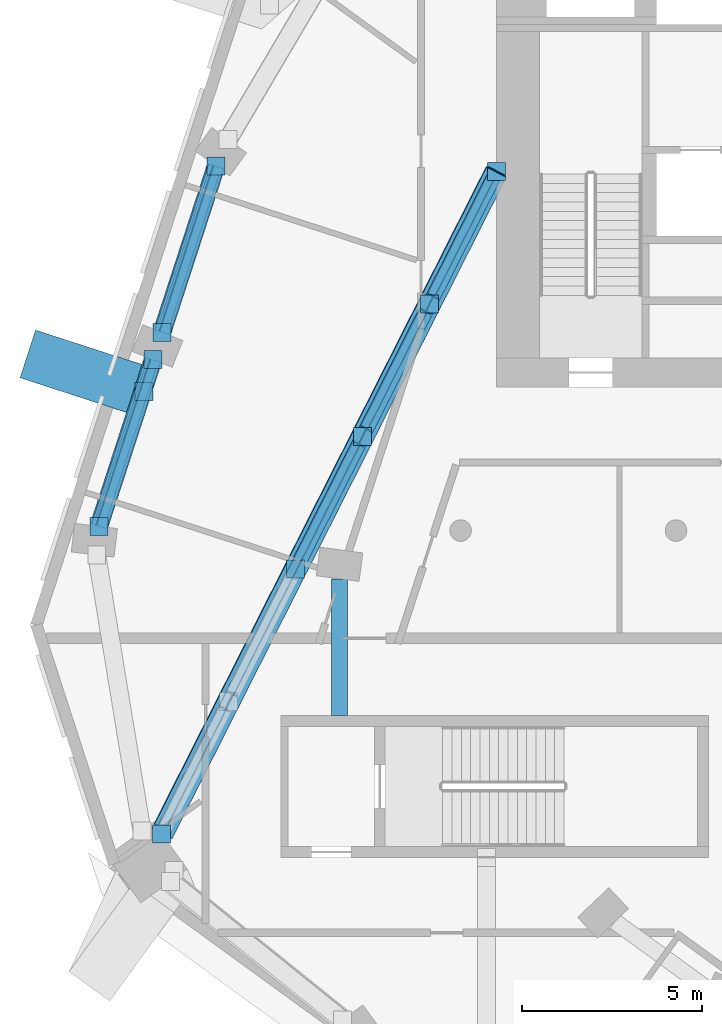
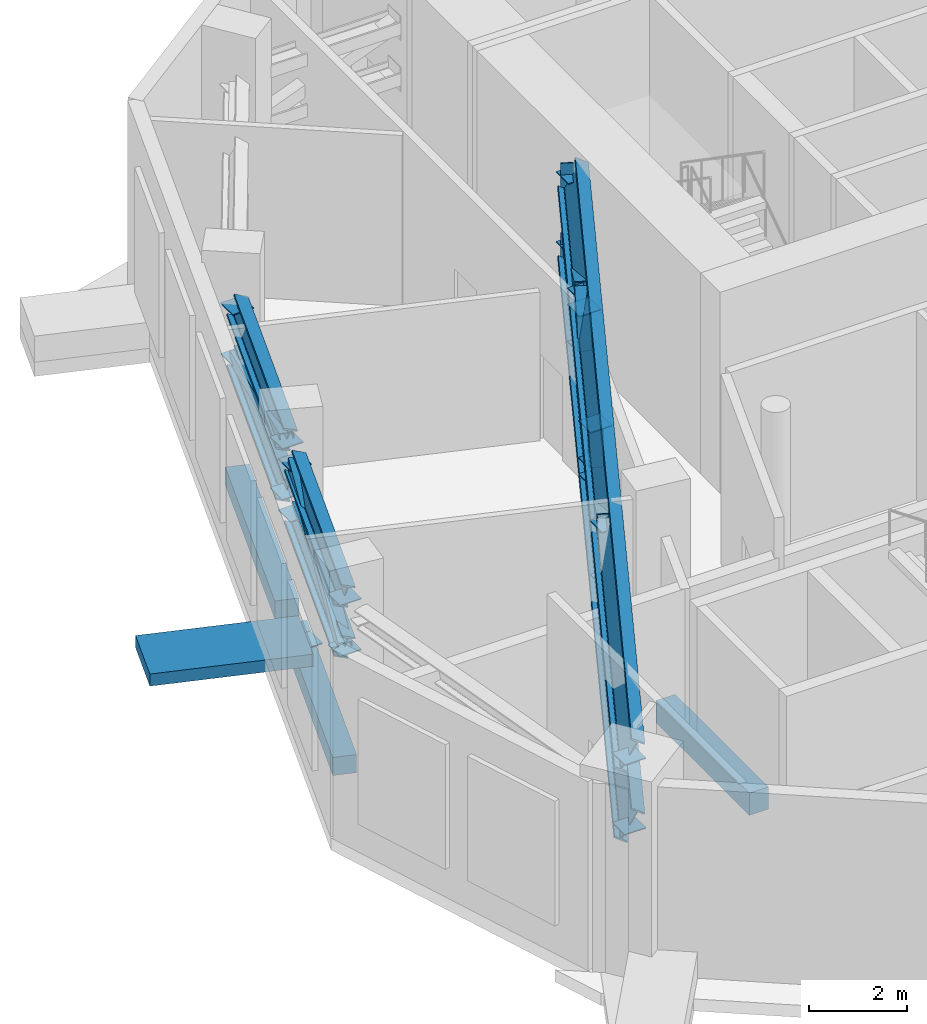
# One storey, part 3 of 16: 22 discrete accessories, 14 members, 3 beams.
"""IFC4 building model written with IfcOpenShell, lengths in metres."""

from ifc_helpers import new_model, si_unit, direction, frame, origin, origin_2d, place, context, subcontext, project, spatial, rectangle, hollow_rectangle, i_section, extrude, material, layer, layer_set, material_profile, profile_set, type_object, element, aggregate, save


model = new_model("IFC4")

# Units and contexts
model_context = context("Model", 3, precision=1e-05, world=origin(), true_north=direction((0.0, 1.0)))
body_context = subcontext(model_context, "Body", "Model", "MODEL_VIEW")
ifc_project = project(units=[si_unit("LENGTHUNIT", "METRE"), si_unit("AREAUNIT", "SQUARE_METRE"), si_unit("VOLUMEUNIT", "CUBIC_METRE"), si_unit("PLANEANGLEUNIT", "RADIAN"), si_unit("MASSUNIT", "GRAM", prefix="KILO")], contexts=[model_context])

# Site, building, storey
site_placement = place(None, origin())
site = spatial("IfcSite", under=ifc_project, at=site_placement, CompositionType="ELEMENT")
building_placement = place(site_placement, origin())
building = spatial("IfcBuilding", under=site, at=building_placement, Name="White Candle Pilgrim Tower", CompositionType="ELEMENT")
storey_placement = place(building_placement, frame((0.0, 0.0, 243.300048828125)))
storey = spatial("IfcBuildingStorey", under=building, at=storey_placement, Name="L57", CompositionType="ELEMENT", Elevation=243.300048828125)

# Member
ifc_material_1 = material(Name="Steel S355", Category="steel")
ifc_material_profile_1 = material_profile(ifc_material_1, i_section(OverallWidth=0.305908203125, OverallDepth=0.52392578125, WebThickness=0.02099609375, FlangeThickness=0.0400390625, FilletRadius=0.027099609375, at=origin_2d()), Name="HEM 500")
ifc_profile_set_1 = profile_set([ifc_material_profile_1], Name="Steel S355")
member_type_1 = type_object("IfcMemberType", Name="Belt truss chord HEM 500 S355", PredefinedType="CHORD", material=ifc_profile_set_1)
member_1_placement = place(storey_placement, frame((51.18994140625, 77.150146484375, 2.411865234375), z_axis=(-0.30935824251, -0.950945570362, 0.0), x_axis=(0.904296895815, -0.294182661044, -0.30936012374)))
member_1 = element("IfcMember", 1, at=member_1_placement, inside=storey, type_object=member_type_1, Name="L57 belt truss bottom chord 13", PredefinedType="CHORD", context=body_context, shape_type="SweptSolid", body=[
    extrude(i_section(OverallWidth=0.305908203125, OverallDepth=0.52392578125, WebThickness=0.02099609375, FlangeThickness=0.0400390625, FilletRadius=0.027099609375, at=origin_2d()), origin(), (0.0, 0.0, 1.0), 4.86767578125),
])

member_2_placement = place(storey_placement, frame((51.18994140625, 77.150146484375, 3.677978515625), z_axis=(-0.30935824251, -0.950945570362, 0.0), x_axis=(0.904296895815, -0.294182661044, -0.30936012374)))
member_2 = element("IfcMember", 2, at=member_2_placement, inside=storey, type_object=member_type_1, Name="L57 belt truss top chord 13", PredefinedType="CHORD", context=body_context, shape_type="SweptSolid", body=[
    extrude(i_section(OverallWidth=0.305908203125, OverallDepth=0.52392578125, WebThickness=0.02099609375, FlangeThickness=0.0400390625, FilletRadius=0.027099609375, at=origin_2d()), origin(), (0.0, 0.0, 1.0), 4.86767578125),
])

member_3_placement = place(storey_placement, frame((49.43603515625, 71.7587890625, 2.411865234375), z_axis=(-0.309376736615, -0.950939553726, 0.0), x_axis=(0.904291255676, -0.294200274386, -0.309359860775)))
member_3 = element("IfcMember", 3, at=member_3_placement, inside=storey, type_object=member_type_1, Name="L57 belt truss bottom chord 14", PredefinedType="CHORD", context=body_context, shape_type="SweptSolid", body=[
    extrude(i_section(OverallWidth=0.305908203125, OverallDepth=0.52392578125, WebThickness=0.02099609375, FlangeThickness=0.0400390625, FilletRadius=0.027099609375, at=origin_2d()), origin(), (0.0, 0.0, 1.0), 4.880859375),
])

member_4_placement = place(storey_placement, frame((49.43603515625, 71.7587890625, 3.677978515625), z_axis=(-0.309376736615, -0.950939553726, 0.0), x_axis=(0.904291255676, -0.294200274386, -0.309359860775)))
member_4 = element("IfcMember", 4, at=member_4_placement, inside=storey, type_object=member_type_1, Name="L57 belt truss top chord 14", PredefinedType="CHORD", context=body_context, shape_type="SweptSolid", body=[
    extrude(i_section(OverallWidth=0.305908203125, OverallDepth=0.52392578125, WebThickness=0.02099609375, FlangeThickness=0.0400390625, FilletRadius=0.027099609375, at=origin_2d()), origin(), (0.0, 0.0, 1.0), 4.880859375),
])

# Members
ifc_material_profile_2 = material_profile(ifc_material_1, hollow_rectangle(XDim=0.300048828125, YDim=0.300048828125, WallThickness=0.01611328125, at=origin_2d()), Name="SHS 300x300x16")
ifc_profile_set_2 = profile_set([ifc_material_profile_2], Name="Steel S355")
member_type_2 = type_object("IfcMemberType", Name="Belt truss diagonal SHS 300x300x16 S355", PredefinedType="BRACE", material=ifc_profile_set_2)
member_5_placement = place(storey_placement, frame((51.18994140625, 77.150146484375, 2.411865234375), z_axis=(-0.299396162607, -0.920322834472, 0.251729652931), x_axis=(0.950945570362, -0.30935824251, 0.0)))
element("IfcMember", 5, at=member_5_placement, inside=storey, type_object=member_type_2, Name="L57 belt truss diagonal 13", PredefinedType="BRACE", context=body_context, shape_type="SweptSolid", body=[
    extrude(hollow_rectangle(XDim=0.300048828125, YDim=0.300048828125, WallThickness=0.01611328125, at=origin_2d()), origin(), (0.0, 0.0, 1.0), 5.029541015625),
])
member_6_placement = place(storey_placement, frame((49.43603515625, 71.7587890625, 3.677978515625), z_axis=(-0.299465023932, -0.920473657231, -0.251095491368), x_axis=(0.950939553726, -0.309376736615, 0.0)))
element("IfcMember", 6, at=member_6_placement, inside=storey, type_object=member_type_2, Name="L57 belt truss diagonal 14", PredefinedType="BRACE", context=body_context, shape_type="SweptSolid", body=[
    extrude(hollow_rectangle(XDim=0.300048828125, YDim=0.300048828125, WallThickness=0.01611328125, at=origin_2d()), origin(), (0.0, 0.0, 1.0), 5.042236328125),
])

# Member
ifc_material_profile_3 = material_profile(ifc_material_1, i_section(OverallWidth=0.302978515625, OverallDepth=0.81396484375, WebThickness=0.02099609375, FlangeThickness=0.0400390625, FilletRadius=0.030029296875, at=origin_2d()), Name="HEM 800")
ifc_profile_set_3 = profile_set([ifc_material_profile_3], Name="Steel S355")
member_type_3 = type_object("IfcMemberType", Name="L44 outrigger 1 chord HEM 800 S355", PredefinedType="CHORD", material=ifc_profile_set_3)
member_7_placement = place(storey_placement, frame((59.0, 77.0, 2.556884765625), z_axis=(-0.451097653793, -0.892474597253, 0.0), x_axis=(0.796508529953, -0.402591995553, -0.451102922655)))
member_7 = element("IfcMember", 7, at=member_7_placement, inside=storey, type_object=member_type_3, Name="L57 outrigger 1 bottom chord", PredefinedType="CHORD", context=body_context, shape_type="SweptSolid", body=[
    extrude(i_section(OverallWidth=0.302978515625, OverallDepth=0.81396484375, WebThickness=0.02099609375, FlangeThickness=0.0400390625, FilletRadius=0.030029296875, at=origin_2d()), origin(), (0.0, 0.0, 1.0), 20.670166015625),
])

member_8_placement = place(storey_placement, frame((59.0, 77.0, 4.29296875), z_axis=(-0.451097653793, -0.892474597253, 0.0), x_axis=(0.796508529953, -0.402591995553, -0.451102922655)))
member_8 = element("IfcMember", 8, at=member_8_placement, inside=storey, type_object=member_type_3, Name="L57 outrigger 1 top chord", PredefinedType="CHORD", context=body_context, shape_type="SweptSolid", body=[
    extrude(i_section(OverallWidth=0.302978515625, OverallDepth=0.81396484375, WebThickness=0.02099609375, FlangeThickness=0.0400390625, FilletRadius=0.030029296875, at=origin_2d()), origin(), (0.0, 0.0, 1.0), 20.670166015625),
])

ifc_material_profile_4 = material_profile(ifc_material_1, hollow_rectangle(XDim=0.39990234375, YDim=0.39990234375, WallThickness=0.02001953125, at=origin_2d()), Name="SHS 400x400x20")
ifc_profile_set_4 = profile_set([ifc_material_profile_4], Name="Steel S355")
member_type_4 = type_object("IfcMemberType", Name="L44 outrigger 1 diagonal SHS 400x400x20 S355", PredefinedType="BRACE", material=ifc_profile_set_4)
member_9_placement = place(storey_placement, frame((59.0, 77.0, 2.556884765625), z_axis=(-0.41594195256, -0.822845239834, 0.387192462974), x_axis=(0.892457927799, -0.451130631978, 0.0)))
member_9 = element("IfcMember", 9, at=member_9_placement, inside=storey, type_object=member_type_4, Name="L57 outrigger 1 diagonal 1", PredefinedType="BRACE", context=body_context, shape_type="SweptSolid", body=[
    extrude(hollow_rectangle(XDim=0.39990234375, YDim=0.39990234375, WallThickness=0.02001953125, at=origin_2d()), origin(), (0.0, 0.0, 1.0), 4.48388671875),
])

member_10_placement = place(storey_placement, frame((57.135009765625, 73.310546875, 4.29296875), z_axis=(-0.415896921473, -0.822863875007, -0.387201231814), x_axis=(0.892481704128, -0.451083592915, 0.0)))
member_10 = element("IfcMember", 10, at=member_10_placement, inside=storey, type_object=member_type_4, Name="L57 outrigger 1 diagonal 2", PredefinedType="BRACE", context=body_context, shape_type="SweptSolid", body=[
    extrude(hollow_rectangle(XDim=0.39990234375, YDim=0.39990234375, WallThickness=0.02001953125, at=origin_2d()), origin(), (0.0, 0.0, 1.0), 4.483642578125),
])

member_11_placement = place(storey_placement, frame((55.270263671875, 69.62109375, 2.556884765625), z_axis=(-0.415896921473, -0.822863875007, 0.387201231814), x_axis=(0.892481704128, -0.451083592915, 0.0)))
member_11 = element("IfcMember", 11, at=member_11_placement, inside=storey, type_object=member_type_4, Name="L57 outrigger 1 diagonal 3", PredefinedType="BRACE", context=body_context, shape_type="SweptSolid", body=[
    extrude(hollow_rectangle(XDim=0.39990234375, YDim=0.39990234375, WallThickness=0.02001953125, at=origin_2d()), origin(), (0.0, 0.0, 1.0), 4.483642578125),
])

ifc_material_profile_5 = material_profile(ifc_material_1, i_section(OverallWidth=0.300048828125, OverallDepth=0.5, WebThickness=0.014404296875, FlangeThickness=0.028076171875, FilletRadius=0.027099609375, at=origin_2d()), Name="HEB 500")
ifc_profile_set_5 = profile_set([ifc_material_profile_5], Name="Steel S355")
member_type_5 = type_object("IfcMemberType", Name="L44 outrigger 1 post HEB 500 S355", PredefinedType="POST", material=ifc_profile_set_5)
member_12_placement = place(storey_placement, frame((57.135009765625, 73.310546875, 2.9638671875), z_axis=(0.0, 0.0, 1.0), x_axis=(0.892471934109, -0.451102922655, 0.0)))
member_12 = element("IfcMember", 12, at=member_12_placement, inside=storey, type_object=member_type_5, Name="L57 outrigger 1 post 1", PredefinedType="POST", context=body_context, shape_type="SweptSolid", body=[
    extrude(i_section(OverallWidth=0.300048828125, OverallDepth=0.5, WebThickness=0.014404296875, FlangeThickness=0.028076171875, FilletRadius=0.027099609375, at=origin_2d()), origin(), (0.0, 0.0, 1.0), 0.922119140625),
])

member_13_placement = place(storey_placement, frame((55.270263671875, 69.62109375, 2.9638671875), z_axis=(0.0, 0.0, 1.0), x_axis=(0.892471934109, -0.451102922655, 0.0)))
member_13 = element("IfcMember", 13, at=member_13_placement, inside=storey, type_object=member_type_5, Name="L57 outrigger 1 post 2", PredefinedType="POST", context=body_context, shape_type="SweptSolid", body=[
    extrude(i_section(OverallWidth=0.300048828125, OverallDepth=0.5, WebThickness=0.014404296875, FlangeThickness=0.028076171875, FilletRadius=0.027099609375, at=origin_2d()), origin(), (0.0, 0.0, 1.0), 0.922119140625),
])

ifc_material_2 = material(Name="Concrete C70/85, white", Category="concrete")
ifc_layer_1 = layer(ifc_material_2, 0.300048828125)
ifc_layer_set_1 = layer_set([ifc_layer_1], Name="Node tie strut 3400x1400x300 C70/85")
member_type_6 = type_object("IfcMemberType", Name="Node tie strut 3400x1400x300 C70/85", PredefinedType="STRUT", material=ifc_layer_set_1)
member_14_placement = place(storey_placement, frame((47.562744140625, 71.394287109375, -0.30029296875), z_axis=(0.0, 0.0, 1.0), x_axis=(-0.309016994375, -0.951056516295, 0.0)))
member_14 = element("IfcMember", 14, at=member_14_placement, inside=storey, type_object=member_type_6, Name="Node tie strut NC201", PredefinedType="STRUT", context=body_context, shape_type="SweptSolid", body=[
    extrude(rectangle(XDim=1.39990234375, YDim=3.39990234375, at=origin_2d()), origin(), (0.0, 0.0, 1.0), 0.300048828125),
])

# Beams
ifc_material_3 = material(Name="Concrete C50/60", Category="concrete")
ifc_material_profile_6 = material_profile(ifc_material_3, rectangle(XDim=0.449951171875, YDim=0.550048828125, at=origin_2d()), Name="RC-BM 450x550")
ifc_profile_set_6 = profile_set([ifc_material_profile_6], Name="Concrete C50/60")
beam_type_1 = type_object("IfcBeamType", Name="Ring beam RC-BM 450x550 C50/60", PredefinedType="BEAM", material=ifc_profile_set_6)
beam_1_placement = place(storey_placement, frame((54.6298828125, 65.656494140625, -0.574951171875), z_axis=(0.0, -1.0, 0.0), x_axis=(1.0, 0.0, 0.0)))
element("IfcBeam", 15, at=beam_1_placement, inside=storey, type_object=beam_type_1, Name="L57 ring beam R07", PredefinedType="BEAM", context=body_context, shape_type="SweptSolid", body=[
    extrude(rectangle(XDim=0.449951171875, YDim=0.550048828125, at=origin_2d()), origin(), (0.0, 0.0, 1.0), 3.806396484375),
])
ifc_material_profile_7 = material_profile(ifc_material_3, rectangle(XDim=0.5, YDim=0.449951171875, at=origin_2d()), Name="RC-BM 500x450")
ifc_profile_set_7 = profile_set([ifc_material_profile_7], Name="Concrete C50/60")
beam_type_2 = type_object("IfcBeamType", Name="Spandrel beam RC-BM 500x450 C50/60", PredefinedType="BEAM", material=ifc_profile_set_7)
beam_2_placement = place(storey_placement, frame((51.18994140625, 77.150146484375, -0.525146484375), z_axis=(-0.30935824251, -0.950945570362, 0.0), x_axis=(0.950945570362, -0.30935824251, 0.0)))
element("IfcBeam", 16, at=beam_2_placement, inside=storey, type_object=beam_type_2, Name="L57 spandrel beam T13", PredefinedType="BEAM", context=body_context, shape_type="SweptSolid", body=[
    extrude(rectangle(XDim=0.5, YDim=0.449951171875, at=origin_2d()), origin(), (0.0, 0.0, 1.0), 4.86767578125),
])
beam_3_placement = place(storey_placement, frame((49.43603515625, 71.7587890625, -0.525146484375), z_axis=(-0.309376736615, -0.950939553726, 0.0), x_axis=(0.950939553726, -0.309376736615, 0.0)))
element("IfcBeam", 17, at=beam_3_placement, inside=storey, type_object=beam_type_2, Name="L57 spandrel beam T14", PredefinedType="BEAM", context=body_context, shape_type="SweptSolid", body=[
    extrude(rectangle(XDim=0.5, YDim=0.449951171875, at=origin_2d()), origin(), (0.0, 0.0, 1.0), 4.880859375),
])

# Discrete accessory
ifc_layer_2 = layer(ifc_material_1, 0.030029296875)
ifc_layer_set_2 = layer_set([ifc_layer_2], Name="Cast-in plate 500x600x30 S355")
discrete_accessory_type_1 = type_object("IfcDiscreteAccessoryType", Name="Cast-in plate 500x600x30 S355", PredefinedType="ANCHORPLATE", material=ifc_layer_set_2)
discrete_accessory_1_placement = place(storey_placement, frame((59.0, 77.0, 2.2568359375), z_axis=(0.0, 0.0, 1.0), x_axis=(-0.451095627087, -0.892475621641, 0.0)))
discrete_accessory_1 = element("IfcDiscreteAccessory", 18, at=discrete_accessory_1_placement, type_object=discrete_accessory_type_1, Name="Cast-in plate 0049", PredefinedType="ANCHORPLATE", context=body_context, shape_type="SweptSolid", body=[
    extrude(rectangle(XDim=0.030029296875, YDim=0.5, at=origin_2d()), origin(), (0.0, 0.0, 1.0), 0.60009765625),
])

discrete_accessory_2_placement = place(storey_placement, frame((59.0, 77.0, 3.992919921875), z_axis=(0.0, 0.0, 1.0), x_axis=(-0.451095627087, -0.892475621641, 0.0)))
discrete_accessory_2 = element("IfcDiscreteAccessory", 19, at=discrete_accessory_2_placement, type_object=discrete_accessory_type_1, Name="Cast-in plate 0050", PredefinedType="ANCHORPLATE", context=body_context, shape_type="SweptSolid", body=[
    extrude(rectangle(XDim=0.030029296875, YDim=0.5, at=origin_2d()), origin(), (0.0, 0.0, 1.0), 0.60009765625),
])

ifc_layer_3 = layer(ifc_material_1, 0.02490234375)
ifc_layer_set_3 = layer_set([ifc_layer_3], Name="Gusset plate 500x500x25 S355")
discrete_accessory_type_2 = type_object("IfcDiscreteAccessoryType", Name="Gusset plate 500x500x25 S355", PredefinedType="BRACKET", material=ifc_layer_set_3)
discrete_accessory_3_placement = place(storey_placement, frame((49.179443359375, 70.868896484375, -0.16259765625), z_axis=(0.0, 0.0, 1.0), x_axis=(1.0, 0.0, 0.0)))
discrete_accessory_3 = element("IfcDiscreteAccessory", 20, at=discrete_accessory_3_placement, type_object=discrete_accessory_type_2, Name="Gusset plate 0582", PredefinedType="BRACKET", context=body_context, shape_type="SweptSolid", body=[
    extrude(rectangle(XDim=0.5, YDim=0.5, at=origin_2d()), origin(), (0.0, 0.0, 1.0), 0.02490234375),
])

aggregate(member_14, [discrete_accessory_3])

discrete_accessory_4_placement = place(storey_placement, frame((51.18994140625, 77.150146484375, 2.3994140625), z_axis=(0.0, 0.0, 1.0), x_axis=(1.0, 0.0, 0.0)))
discrete_accessory_4 = element("IfcDiscreteAccessory", 21, at=discrete_accessory_4_placement, type_object=discrete_accessory_type_2, Name="Gusset plate 0886", PredefinedType="BRACKET", context=body_context, shape_type="SweptSolid", body=[
    extrude(rectangle(XDim=0.5, YDim=0.5, at=origin_2d()), origin(), (0.0, 0.0, 1.0), 0.02490234375),
])

discrete_accessory_5_placement = place(storey_placement, frame((49.68408203125, 72.521240234375, 2.3994140625), z_axis=(0.0, 0.0, 1.0), x_axis=(1.0, 0.0, 0.0)))
discrete_accessory_5 = element("IfcDiscreteAccessory", 22, at=discrete_accessory_5_placement, type_object=discrete_accessory_type_2, Name="Gusset plate 0887", PredefinedType="BRACKET", context=body_context, shape_type="SweptSolid", body=[
    extrude(rectangle(XDim=0.5, YDim=0.5, at=origin_2d()), origin(), (0.0, 0.0, 1.0), 0.02490234375),
])

aggregate(member_1, [discrete_accessory_4, discrete_accessory_5])

discrete_accessory_6_placement = place(storey_placement, frame((51.18994140625, 77.150146484375, 3.66552734375), z_axis=(0.0, 0.0, 1.0), x_axis=(1.0, 0.0, 0.0)))
discrete_accessory_6 = element("IfcDiscreteAccessory", 23, at=discrete_accessory_6_placement, type_object=discrete_accessory_type_2, Name="Gusset plate 0888", PredefinedType="BRACKET", context=body_context, shape_type="SweptSolid", body=[
    extrude(rectangle(XDim=0.5, YDim=0.5, at=origin_2d()), origin(), (0.0, 0.0, 1.0), 0.02490234375),
])

discrete_accessory_7_placement = place(storey_placement, frame((49.68408203125, 72.521240234375, 3.66552734375), z_axis=(0.0, 0.0, 1.0), x_axis=(1.0, 0.0, 0.0)))
discrete_accessory_7 = element("IfcDiscreteAccessory", 24, at=discrete_accessory_7_placement, type_object=discrete_accessory_type_2, Name="Gusset plate 0889", PredefinedType="BRACKET", context=body_context, shape_type="SweptSolid", body=[
    extrude(rectangle(XDim=0.5, YDim=0.5, at=origin_2d()), origin(), (0.0, 0.0, 1.0), 0.02490234375),
])

aggregate(member_2, [discrete_accessory_6, discrete_accessory_7])

discrete_accessory_8_placement = place(storey_placement, frame((49.43603515625, 71.7587890625, 2.3994140625), z_axis=(0.0, 0.0, 1.0), x_axis=(1.0, 0.0, 0.0)))
discrete_accessory_8 = element("IfcDiscreteAccessory", 25, at=discrete_accessory_8_placement, type_object=discrete_accessory_type_2, Name="Gusset plate 0890", PredefinedType="BRACKET", context=body_context, shape_type="SweptSolid", body=[
    extrude(rectangle(XDim=0.5, YDim=0.5, at=origin_2d()), origin(), (0.0, 0.0, 1.0), 0.02490234375),
])

discrete_accessory_9_placement = place(storey_placement, frame((47.926025390625, 67.117431640625, 2.3994140625), z_axis=(0.0, 0.0, 1.0), x_axis=(1.0, 0.0, 0.0)))
discrete_accessory_9 = element("IfcDiscreteAccessory", 26, at=discrete_accessory_9_placement, type_object=discrete_accessory_type_2, Name="Gusset plate 0891", PredefinedType="BRACKET", context=body_context, shape_type="SweptSolid", body=[
    extrude(rectangle(XDim=0.5, YDim=0.5, at=origin_2d()), origin(), (0.0, 0.0, 1.0), 0.02490234375),
])

aggregate(member_3, [discrete_accessory_8, discrete_accessory_9])

discrete_accessory_10_placement = place(storey_placement, frame((49.43603515625, 71.7587890625, 3.66552734375), z_axis=(0.0, 0.0, 1.0), x_axis=(1.0, 0.0, 0.0)))
discrete_accessory_10 = element("IfcDiscreteAccessory", 27, at=discrete_accessory_10_placement, type_object=discrete_accessory_type_2, Name="Gusset plate 0892", PredefinedType="BRACKET", context=body_context, shape_type="SweptSolid", body=[
    extrude(rectangle(XDim=0.5, YDim=0.5, at=origin_2d()), origin(), (0.0, 0.0, 1.0), 0.02490234375),
])

discrete_accessory_11_placement = place(storey_placement, frame((47.926025390625, 67.117431640625, 3.66552734375), z_axis=(0.0, 0.0, 1.0), x_axis=(1.0, 0.0, 0.0)))
discrete_accessory_11 = element("IfcDiscreteAccessory", 28, at=discrete_accessory_11_placement, type_object=discrete_accessory_type_2, Name="Gusset plate 0893", PredefinedType="BRACKET", context=body_context, shape_type="SweptSolid", body=[
    extrude(rectangle(XDim=0.5, YDim=0.5, at=origin_2d()), origin(), (0.0, 0.0, 1.0), 0.02490234375),
])

aggregate(member_4, [discrete_accessory_10, discrete_accessory_11])

discrete_accessory_12_placement = place(storey_placement, frame((59.0, 77.0, 2.54443359375), z_axis=(0.0, 0.0, 1.0), x_axis=(1.0, 0.0, 0.0)))
discrete_accessory_12 = element("IfcDiscreteAccessory", 29, at=discrete_accessory_12_placement, type_object=discrete_accessory_type_2, Name="Gusset plate 0984", PredefinedType="BRACKET", context=body_context, shape_type="SweptSolid", body=[
    extrude(rectangle(XDim=0.5, YDim=0.5, at=origin_2d()), origin(), (0.0, 0.0, 1.0), 0.02490234375),
])

discrete_accessory_13_placement = place(storey_placement, frame((49.67578125, 58.552490234375, 2.54443359375), z_axis=(0.0, 0.0, 1.0), x_axis=(1.0, 0.0, 0.0)))
discrete_accessory_13 = element("IfcDiscreteAccessory", 30, at=discrete_accessory_13_placement, type_object=discrete_accessory_type_2, Name="Gusset plate 0985", PredefinedType="BRACKET", context=body_context, shape_type="SweptSolid", body=[
    extrude(rectangle(XDim=0.5, YDim=0.5, at=origin_2d()), origin(), (0.0, 0.0, 1.0), 0.02490234375),
])

aggregate(member_7, [discrete_accessory_12, discrete_accessory_13, discrete_accessory_1])

discrete_accessory_14_placement = place(storey_placement, frame((59.0, 77.0, 4.280517578125), z_axis=(0.0, 0.0, 1.0), x_axis=(1.0, 0.0, 0.0)))
discrete_accessory_14 = element("IfcDiscreteAccessory", 31, at=discrete_accessory_14_placement, type_object=discrete_accessory_type_2, Name="Gusset plate 0986", PredefinedType="BRACKET", context=body_context, shape_type="SweptSolid", body=[
    extrude(rectangle(XDim=0.5, YDim=0.5, at=origin_2d()), origin(), (0.0, 0.0, 1.0), 0.02490234375),
])

discrete_accessory_15_placement = place(storey_placement, frame((49.67578125, 58.552490234375, 4.280517578125), z_axis=(0.0, 0.0, 1.0), x_axis=(1.0, 0.0, 0.0)))
discrete_accessory_15 = element("IfcDiscreteAccessory", 32, at=discrete_accessory_15_placement, type_object=discrete_accessory_type_2, Name="Gusset plate 0987", PredefinedType="BRACKET", context=body_context, shape_type="SweptSolid", body=[
    extrude(rectangle(XDim=0.5, YDim=0.5, at=origin_2d()), origin(), (0.0, 0.0, 1.0), 0.02490234375),
])

aggregate(member_8, [discrete_accessory_14, discrete_accessory_15, discrete_accessory_2])

discrete_accessory_16_placement = place(storey_placement, frame((57.135009765625, 73.310546875, 4.280517578125), z_axis=(0.0, 0.0, 1.0), x_axis=(1.0, 0.0, 0.0)))
discrete_accessory_16 = element("IfcDiscreteAccessory", 33, at=discrete_accessory_16_placement, type_object=discrete_accessory_type_2, Name="Gusset plate 0988", PredefinedType="BRACKET", context=body_context, shape_type="SweptSolid", body=[
    extrude(rectangle(XDim=0.5, YDim=0.5, at=origin_2d()), origin(), (0.0, 0.0, 1.0), 0.02490234375),
])

aggregate(member_9, [discrete_accessory_16])

discrete_accessory_17_placement = place(storey_placement, frame((55.270263671875, 69.62109375, 2.54443359375), z_axis=(0.0, 0.0, 1.0), x_axis=(1.0, 0.0, 0.0)))
discrete_accessory_17 = element("IfcDiscreteAccessory", 34, at=discrete_accessory_17_placement, type_object=discrete_accessory_type_2, Name="Gusset plate 0989", PredefinedType="BRACKET", context=body_context, shape_type="SweptSolid", body=[
    extrude(rectangle(XDim=0.5, YDim=0.5, at=origin_2d()), origin(), (0.0, 0.0, 1.0), 0.02490234375),
])

aggregate(member_10, [discrete_accessory_17])

discrete_accessory_18_placement = place(storey_placement, frame((53.405517578125, 65.931640625, 4.280517578125), z_axis=(0.0, 0.0, 1.0), x_axis=(1.0, 0.0, 0.0)))
discrete_accessory_18 = element("IfcDiscreteAccessory", 35, at=discrete_accessory_18_placement, type_object=discrete_accessory_type_2, Name="Gusset plate 0990", PredefinedType="BRACKET", context=body_context, shape_type="SweptSolid", body=[
    extrude(rectangle(XDim=0.5, YDim=0.5, at=origin_2d()), origin(), (0.0, 0.0, 1.0), 0.02490234375),
])

aggregate(member_11, [discrete_accessory_18])

discrete_accessory_19_placement = place(storey_placement, frame((57.135009765625, 73.310546875, 2.951416015625), z_axis=(0.0, 0.0, 1.0), x_axis=(1.0, 0.0, 0.0)))
discrete_accessory_19 = element("IfcDiscreteAccessory", 36, at=discrete_accessory_19_placement, type_object=discrete_accessory_type_2, Name="Gusset plate 0992", PredefinedType="BRACKET", context=body_context, shape_type="SweptSolid", body=[
    extrude(rectangle(XDim=0.5, YDim=0.5, at=origin_2d()), origin(), (0.0, 0.0, 1.0), 0.02490234375),
])

discrete_accessory_20_placement = place(storey_placement, frame((57.135009765625, 73.310546875, 3.87353515625), z_axis=(0.0, 0.0, 1.0), x_axis=(1.0, 0.0, 0.0)))
discrete_accessory_20 = element("IfcDiscreteAccessory", 37, at=discrete_accessory_20_placement, type_object=discrete_accessory_type_2, Name="Gusset plate 0993", PredefinedType="BRACKET", context=body_context, shape_type="SweptSolid", body=[
    extrude(rectangle(XDim=0.5, YDim=0.5, at=origin_2d()), origin(), (0.0, 0.0, 1.0), 0.02490234375),
])

aggregate(member_12, [discrete_accessory_19, discrete_accessory_20])

discrete_accessory_21_placement = place(storey_placement, frame((55.270263671875, 69.62109375, 2.951416015625), z_axis=(0.0, 0.0, 1.0), x_axis=(1.0, 0.0, 0.0)))
discrete_accessory_21 = element("IfcDiscreteAccessory", 38, at=discrete_accessory_21_placement, type_object=discrete_accessory_type_2, Name="Gusset plate 0994", PredefinedType="BRACKET", context=body_context, shape_type="SweptSolid", body=[
    extrude(rectangle(XDim=0.5, YDim=0.5, at=origin_2d()), origin(), (0.0, 0.0, 1.0), 0.02490234375),
])

discrete_accessory_22_placement = place(storey_placement, frame((55.270263671875, 69.62109375, 3.87353515625), z_axis=(0.0, 0.0, 1.0), x_axis=(1.0, 0.0, 0.0)))
discrete_accessory_22 = element("IfcDiscreteAccessory", 39, at=discrete_accessory_22_placement, type_object=discrete_accessory_type_2, Name="Gusset plate 0995", PredefinedType="BRACKET", context=body_context, shape_type="SweptSolid", body=[
    extrude(rectangle(XDim=0.5, YDim=0.5, at=origin_2d()), origin(), (0.0, 0.0, 1.0), 0.02490234375),
])

aggregate(member_13, [discrete_accessory_21, discrete_accessory_22])

save(model, "model.ifc")
